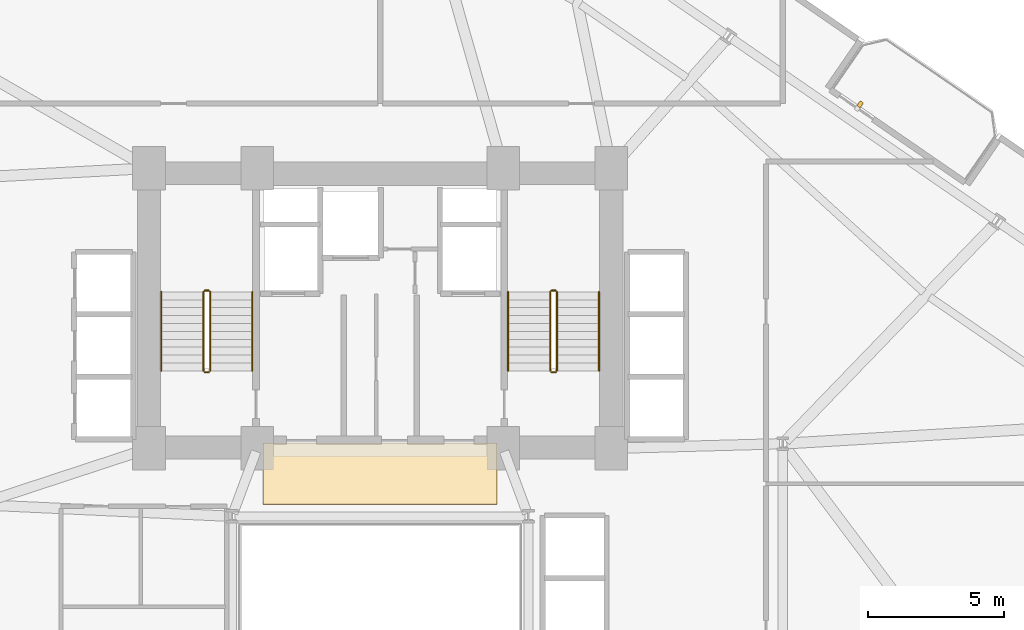
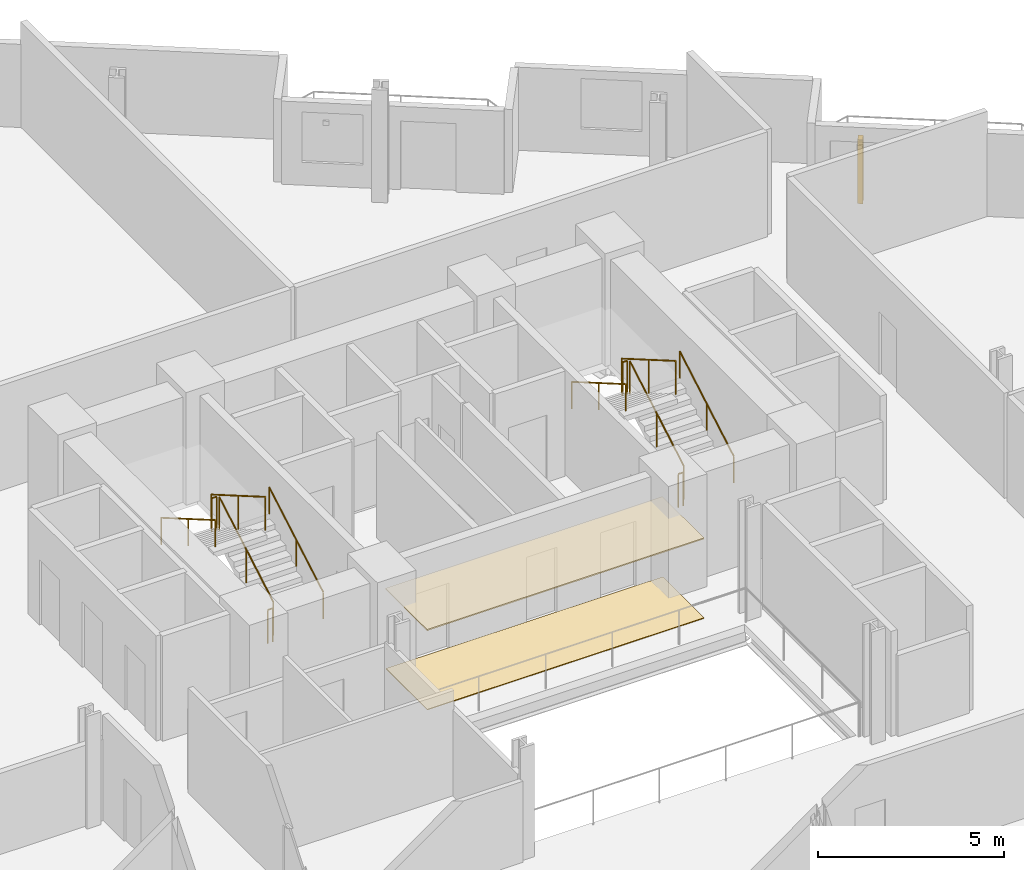
# One storey, part 25 of 26: 12 railings, 2 coverings, 1 shading device.
"""IFC4 building model written with IfcOpenShell, lengths in metres."""

from ifc_helpers import new_model, si_unit, direction, frame, origin, origin_2d, place, context, subcontext, project, spatial, rectangle, circle, extrude, source, transform, mapped, material, layer, layer_set, type_object, element, save


model = new_model("IFC4")

# Units and contexts
model_context = context("Model", 3, precision=1e-05, world=origin(), true_north=direction((0.0, 1.0)))
body_context = subcontext(model_context, "Body", "Model", "MODEL_VIEW")
ifc_project = project(units=[si_unit("LENGTHUNIT", "METRE"), si_unit("AREAUNIT", "SQUARE_METRE"), si_unit("VOLUMEUNIT", "CUBIC_METRE"), si_unit("PLANEANGLEUNIT", "RADIAN"), si_unit("MASSUNIT", "GRAM", prefix="KILO")], contexts=[model_context])

# Site, building, storey
site_placement = place(None, origin())
site = spatial("IfcSite", under=ifc_project, at=site_placement, CompositionType="ELEMENT")
building_placement = place(site_placement, origin())
building = spatial("IfcBuilding", under=site, at=building_placement, Name="Varnelok Gate Tower", CompositionType="ELEMENT")
storey_placement = place(building_placement, frame((0.0, 0.0, 45.5)))
storey = spatial("IfcBuildingStorey", under=building, at=storey_placement, Name="L10", CompositionType="ELEMENT", Elevation=45.5)

# Railings
ifc_material_1 = material(Name="Brushed Stainless Steel AISI 316", Category="steel")
railing_type_1 = type_object("IfcRailingType", Name="RL-HANDRAIL-900", PredefinedType="HANDRAIL", material=ifc_material_1)
railing_1_placement = place(storey_placement, frame((34.5, 31.60009765625, 0.168212890625)))
element("IfcRailing", 1, at=railing_1_placement, inside=storey, type_object=railing_type_1, Name="L10 ST-1 stair handrail 1", PredefinedType="HANDRAIL", context=body_context, shape_type="SweptSolid", body=[
    extrude(circle(Radius=0.02392578125, at=origin_2d()), frame((0.0, 0.0, 0.8759765625), z_axis=(0.0, 0.865038774852, 0.501705010941), x_axis=(-1.0, 0.0, 0.0)), (0.0, 0.0, 1.0), 3.352294921875),
    extrude(circle(Radius=0.02099609375, at=origin_2d()), origin(), (0.0, 0.0, 1.0), 0.851806640625),
    extrude(circle(Radius=0.02099609375, at=origin_2d()), frame((0.0, 1.449951171875, 0.8408203125)), (0.0, 0.0, 1.0), 0.851806640625),
    extrude(circle(Radius=0.02099609375, at=origin_2d()), frame((0.0, 2.89990234375, 1.681884765625)), (0.0, 0.0, 1.0), 0.851806640625),
])
railing_2_placement = place(storey_placement, frame((31.14990234375, 34.5, 2.01806640625)))
element("IfcRailing", 2, at=railing_2_placement, inside=storey, type_object=railing_type_1, Name="L10 ST-1 stair handrail 2", PredefinedType="HANDRAIL", context=body_context, shape_type="SweptSolid", body=[
    extrude(circle(Radius=0.02392578125, at=origin_2d()), frame((0.0, 0.0, 0.8759765625), z_axis=(0.0, -0.865038774852, 0.501705010941), x_axis=(1.0, 0.0, 0.0)), (0.0, 0.0, 1.0), 3.352294921875),
    extrude(circle(Radius=0.02099609375, at=origin_2d()), origin(), (0.0, 0.0, 1.0), 0.851806640625),
    extrude(circle(Radius=0.02099609375, at=origin_2d()), frame((0.0, -1.449951171875, 0.8408203125)), (0.0, 0.0, 1.0), 0.851806640625),
    extrude(circle(Radius=0.02099609375, at=origin_2d()), frame((0.0, -2.89990234375, 1.681884765625)), (0.0, 0.0, 1.0), 0.851806640625),
])
railing_3_placement = place(storey_placement, frame((47.25, 31.60009765625, 0.168212890625)))
element("IfcRailing", 3, at=railing_3_placement, inside=storey, type_object=railing_type_1, Name="L10 ST-2 stair handrail 1", PredefinedType="HANDRAIL", context=body_context, shape_type="SweptSolid", body=[
    extrude(circle(Radius=0.02392578125, at=origin_2d()), frame((0.0, 0.0, 0.8759765625), z_axis=(0.0, 0.865038774852, 0.501705010941), x_axis=(-1.0, 0.0, 0.0)), (0.0, 0.0, 1.0), 3.352294921875),
    extrude(circle(Radius=0.02099609375, at=origin_2d()), origin(), (0.0, 0.0, 1.0), 0.851806640625),
    extrude(circle(Radius=0.02099609375, at=origin_2d()), frame((0.0, 1.449951171875, 0.8408203125)), (0.0, 0.0, 1.0), 0.851806640625),
    extrude(circle(Radius=0.02099609375, at=origin_2d()), frame((0.0, 2.89990234375, 1.681884765625)), (0.0, 0.0, 1.0), 0.851806640625),
])
railing_4_placement = place(storey_placement, frame((43.89990234375, 34.5, 2.01806640625)))
element("IfcRailing", 4, at=railing_4_placement, inside=storey, type_object=railing_type_1, Name="L10 ST-2 stair handrail 2", PredefinedType="HANDRAIL", context=body_context, shape_type="SweptSolid", body=[
    extrude(circle(Radius=0.02392578125, at=origin_2d()), frame((0.0, 0.0, 0.8759765625), z_axis=(0.0, -0.865038774852, 0.501705010941), x_axis=(1.0, 0.0, 0.0)), (0.0, 0.0, 1.0), 3.352294921875),
    extrude(circle(Radius=0.02099609375, at=origin_2d()), origin(), (0.0, 0.0, 1.0), 0.851806640625),
    extrude(circle(Radius=0.02099609375, at=origin_2d()), frame((0.0, -1.449951171875, 0.8408203125)), (0.0, 0.0, 1.0), 0.851806640625),
    extrude(circle(Radius=0.02099609375, at=origin_2d()), frame((0.0, -2.89990234375, 1.681884765625)), (0.0, 0.0, 1.0), 0.851806640625),
])
ifc_material_2 = material(Name="Galvanized Steel Grade S350GD", Category="steel")
railing_type_2 = type_object("IfcRailingType", Name="RL-STAIR-GUARD1120", PredefinedType="GUARDRAIL", material=ifc_material_2)
railing_5_placement = place(storey_placement, frame((32.949951171875, 31.60009765625, 0.168212890625)))
element("IfcRailing", 5, at=railing_5_placement, inside=storey, type_object=railing_type_2, Name="L10 ST-1 stair guard 1", PredefinedType="GUARDRAIL", context=body_context, shape_type="SweptSolid", body=[
    extrude(circle(Radius=0.02392578125, at=origin_2d()), frame((0.0, 0.0, 1.09619140625), z_axis=(0.0, 0.865038774852, 0.501705010941), x_axis=(-1.0, 0.0, 0.0)), (0.0, 0.0, 1.0), 3.352294921875),
    extrude(circle(Radius=0.02099609375, at=origin_2d()), origin(), (0.0, 0.0, 1.0), 1.072021484375),
    extrude(circle(Radius=0.02099609375, at=origin_2d()), frame((0.0, 1.449951171875, 0.8408203125)), (0.0, 0.0, 1.0), 1.072021484375),
    extrude(circle(Radius=0.02099609375, at=origin_2d()), frame((0.0, 2.89990234375, 1.681884765625)), (0.0, 0.0, 1.0), 1.072021484375),
])
railing_6_placement = place(storey_placement, frame((32.89990234375, 34.550048828125, 1.85009765625)))
element("IfcRailing", 6, at=railing_6_placement, inside=storey, type_object=railing_type_2, Name="L10 ST-1 stair guard 2", PredefinedType="GUARDRAIL", context=body_context, shape_type="SweptSolid", body=[
    extrude(circle(Radius=0.02392578125, at=origin_2d()), frame((0.0, 0.0, 1.09619140625), z_axis=(-1.0, 0.0, 0.0), x_axis=(0.0, -1.0, 0.0)), (0.0, 0.0, 1.0), 0.14990234375),
    extrude(circle(Radius=0.02099609375, at=origin_2d()), origin(), (0.0, 0.0, 1.0), 1.072021484375),
    extrude(circle(Radius=0.02099609375, at=origin_2d()), frame((-0.14990234375, 0.0, 0.0)), (0.0, 0.0, 1.0), 1.072021484375),
])
railing_7_placement = place(storey_placement, frame((32.699951171875, 34.5, 2.01806640625)))
element("IfcRailing", 7, at=railing_7_placement, inside=storey, type_object=railing_type_2, Name="L10 ST-1 stair guard 3", PredefinedType="GUARDRAIL", context=body_context, shape_type="SweptSolid", body=[
    extrude(circle(Radius=0.02392578125, at=origin_2d()), frame((0.0, 0.0, 1.09619140625), z_axis=(0.0, -0.865038774852, 0.501705010941), x_axis=(1.0, 0.0, 0.0)), (0.0, 0.0, 1.0), 3.352294921875),
    extrude(circle(Radius=0.02099609375, at=origin_2d()), origin(), (0.0, 0.0, 1.0), 1.072021484375),
    extrude(circle(Radius=0.02099609375, at=origin_2d()), frame((0.0, -1.449951171875, 0.8408203125)), (0.0, 0.0, 1.0), 1.072021484375),
    extrude(circle(Radius=0.02099609375, at=origin_2d()), frame((0.0, -2.89990234375, 1.681884765625)), (0.0, 0.0, 1.0), 1.072021484375),
])
railing_8_placement = place(storey_placement, frame((32.89990234375, 31.550048828125, 0.0)))
element("IfcRailing", 8, at=railing_8_placement, inside=storey, type_object=railing_type_2, Name="L10 ST-1 stair guard 4", PredefinedType="GUARDRAIL", context=body_context, shape_type="SweptSolid", body=[
    extrude(circle(Radius=0.02392578125, at=origin_2d()), frame((0.0, 0.0, 1.09619140625), z_axis=(-1.0, 0.0, 0.0), x_axis=(0.0, -1.0, 0.0)), (0.0, 0.0, 1.0), 0.14990234375),
    extrude(circle(Radius=0.02099609375, at=origin_2d()), origin(), (0.0, 0.0, 1.0), 1.072021484375),
    extrude(circle(Radius=0.02099609375, at=origin_2d()), frame((-0.14990234375, 0.0, 0.0)), (0.0, 0.0, 1.0), 1.072021484375),
])
railing_9_placement = place(storey_placement, frame((45.699951171875, 31.60009765625, 0.168212890625)))
element("IfcRailing", 9, at=railing_9_placement, inside=storey, type_object=railing_type_2, Name="L10 ST-2 stair guard 1", PredefinedType="GUARDRAIL", context=body_context, shape_type="SweptSolid", body=[
    extrude(circle(Radius=0.02392578125, at=origin_2d()), frame((0.0, 0.0, 1.09619140625), z_axis=(0.0, 0.865038774852, 0.501705010941), x_axis=(-1.0, 0.0, 0.0)), (0.0, 0.0, 1.0), 3.352294921875),
    extrude(circle(Radius=0.02099609375, at=origin_2d()), origin(), (0.0, 0.0, 1.0), 1.072021484375),
    extrude(circle(Radius=0.02099609375, at=origin_2d()), frame((0.0, 1.449951171875, 0.8408203125)), (0.0, 0.0, 1.0), 1.072021484375),
    extrude(circle(Radius=0.02099609375, at=origin_2d()), frame((0.0, 2.89990234375, 1.681884765625)), (0.0, 0.0, 1.0), 1.072021484375),
])
railing_10_placement = place(storey_placement, frame((45.64990234375, 34.550048828125, 1.85009765625)))
element("IfcRailing", 10, at=railing_10_placement, inside=storey, type_object=railing_type_2, Name="L10 ST-2 stair guard 2", PredefinedType="GUARDRAIL", context=body_context, shape_type="SweptSolid", body=[
    extrude(circle(Radius=0.02392578125, at=origin_2d()), frame((0.0, 0.0, 1.09619140625), z_axis=(-1.0, 0.0, 0.0), x_axis=(0.0, -1.0, 0.0)), (0.0, 0.0, 1.0), 0.14990234375),
    extrude(circle(Radius=0.02099609375, at=origin_2d()), origin(), (0.0, 0.0, 1.0), 1.072021484375),
    extrude(circle(Radius=0.02099609375, at=origin_2d()), frame((-0.14990234375, 0.0, 0.0)), (0.0, 0.0, 1.0), 1.072021484375),
])
railing_11_placement = place(storey_placement, frame((45.449951171875, 34.5, 2.01806640625)))
element("IfcRailing", 11, at=railing_11_placement, inside=storey, type_object=railing_type_2, Name="L10 ST-2 stair guard 3", PredefinedType="GUARDRAIL", context=body_context, shape_type="SweptSolid", body=[
    extrude(circle(Radius=0.02392578125, at=origin_2d()), frame((0.0, 0.0, 1.09619140625), z_axis=(0.0, -0.865038774852, 0.501705010941), x_axis=(1.0, 0.0, 0.0)), (0.0, 0.0, 1.0), 3.352294921875),
    extrude(circle(Radius=0.02099609375, at=origin_2d()), origin(), (0.0, 0.0, 1.0), 1.072021484375),
    extrude(circle(Radius=0.02099609375, at=origin_2d()), frame((0.0, -1.449951171875, 0.8408203125)), (0.0, 0.0, 1.0), 1.072021484375),
    extrude(circle(Radius=0.02099609375, at=origin_2d()), frame((0.0, -2.89990234375, 1.681884765625)), (0.0, 0.0, 1.0), 1.072021484375),
])
railing_12_placement = place(storey_placement, frame((45.64990234375, 31.550048828125, 0.0)))
element("IfcRailing", 12, at=railing_12_placement, inside=storey, type_object=railing_type_2, Name="L10 ST-2 stair guard 4", PredefinedType="GUARDRAIL", context=body_context, shape_type="SweptSolid", body=[
    extrude(circle(Radius=0.02392578125, at=origin_2d()), frame((0.0, 0.0, 1.09619140625), z_axis=(-1.0, 0.0, 0.0), x_axis=(0.0, -1.0, 0.0)), (0.0, 0.0, 1.0), 0.14990234375),
    extrude(circle(Radius=0.02099609375, at=origin_2d()), origin(), (0.0, 0.0, 1.0), 1.072021484375),
    extrude(circle(Radius=0.02099609375, at=origin_2d()), frame((-0.14990234375, 0.0, 0.0)), (0.0, 0.0, 1.0), 1.072021484375),
])

# Shading device
ifc_material_3 = material(Name="Glazed Architectural Terracotta Ceramic", Category="masonry")
shading_device_type = type_object("IfcShadingDeviceType", Name="SHD-TERRA-BAGUETTE", PredefinedType="USERDEFINED", material=ifc_material_3)
shared_shape_1 = source(origin(), body_context, "Body", "SweptSolid", [
    extrude(rectangle(XDim=0.139892578125, YDim=0.219970703125, at=origin_2d()), origin(), (0.0, 0.0, 1.0), 2.10009765625),
])
shading_device_placement = place(storey_placement, frame((56.847412109375, 41.400390625, 0.099853515625), z_axis=(0.0, 0.0, 1.0), x_axis=(0.823532597628, -0.567268949127, 0.0)))
element("IfcShadingDevice", 13, at=shading_device_placement, inside=storey, type_object=shading_device_type, Name="L10 Terracotta Ceramic Baguette Sunscreen 4.1", ObjectType="BAGUETTE", PredefinedType="USERDEFINED", context=body_context, shape_type="MappedRepresentation", body=[
    mapped(shared_shape_1, transform((0.0, 0.0, 0.0), scale=1.0)),
])

# Coverings
ifc_material_4 = material(Name="Honed Travertine Stone Flooring", Category="masonry")
ifc_layer_1 = layer(ifc_material_4, 0.02490234375)
ifc_layer_set_1 = layer_set([ifc_layer_1], Name="Honed Travertine Stone Flooring")
covering_type_1 = type_object("IfcCoveringType", Name="COV-FLOR-STONE", PredefinedType="FLOORING", material=ifc_layer_set_1)
shared_shape_2 = source(origin(), body_context, "Body", "SweptSolid", [
    extrude(rectangle(XDim=8.60009765625, YDim=2.219970703125, at=origin_2d()), origin(), (0.0, 0.0, 1.0), 0.02490234375),
])
covering_1_placement = place(storey_placement, frame((39.199951171875, 27.800048828125, 0.0), z_axis=(0.0, 0.0, 1.0), x_axis=(1.0, 0.0, 0.0)))
element("IfcCovering", 14, at=covering_1_placement, inside=storey, type_object=covering_type_1, Name="L10 Core Gallery Stone Flooring", PredefinedType="FLOORING", context=body_context, shape_type="MappedRepresentation", body=[
    mapped(shared_shape_2, transform((0.0, 0.0, 0.0), scale=1.0)),
])
ifc_material_5 = material(Name="Mineral Fiber Acoustic Ceiling Tile")
ifc_layer_2 = layer(ifc_material_5, 0.0400390625)
ifc_layer_set_2 = layer_set([ifc_layer_2], Name="Mineral Fiber Acoustic Ceiling Tile")
covering_type_2 = type_object("IfcCoveringType", Name="COV-CEIL-ACOUST", PredefinedType="CEILING", material=ifc_layer_set_2)
shared_shape_3 = source(origin(), body_context, "Body", "SweptSolid", [
    extrude(rectangle(XDim=8.60009765625, YDim=2.239990234375, at=origin_2d()), origin(), (0.0, 0.0, 1.0), 0.0400390625),
])
covering_2_placement = place(storey_placement, frame((39.199951171875, 27.820068359375, 2.60009765625), z_axis=(0.0, 0.0, 1.0), x_axis=(1.0, 0.0, 0.0)))
element("IfcCovering", 15, at=covering_2_placement, inside=storey, type_object=covering_type_2, Name="L10 Core Gallery Acoustic Ceiling", PredefinedType="CEILING", context=body_context, shape_type="MappedRepresentation", body=[
    mapped(shared_shape_3, transform((0.0, 0.0, 0.0), scale=1.0)),
])

save(model, "model.ifc")
